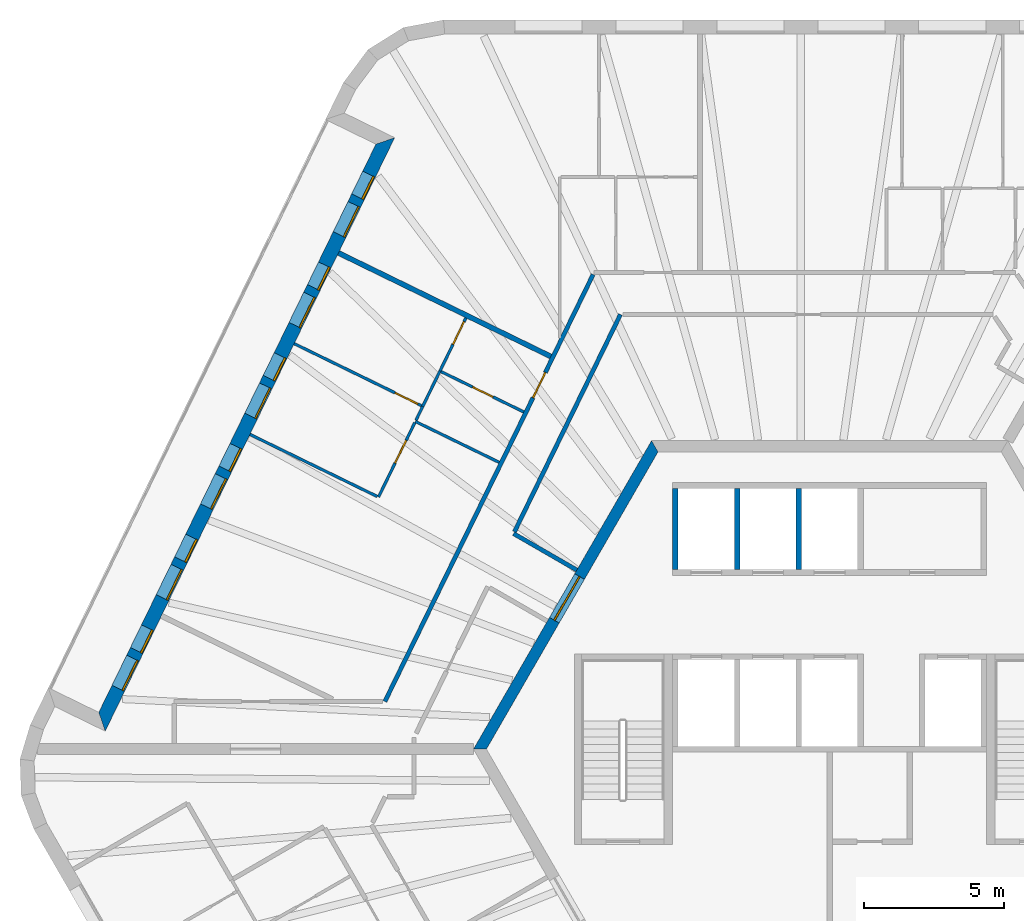
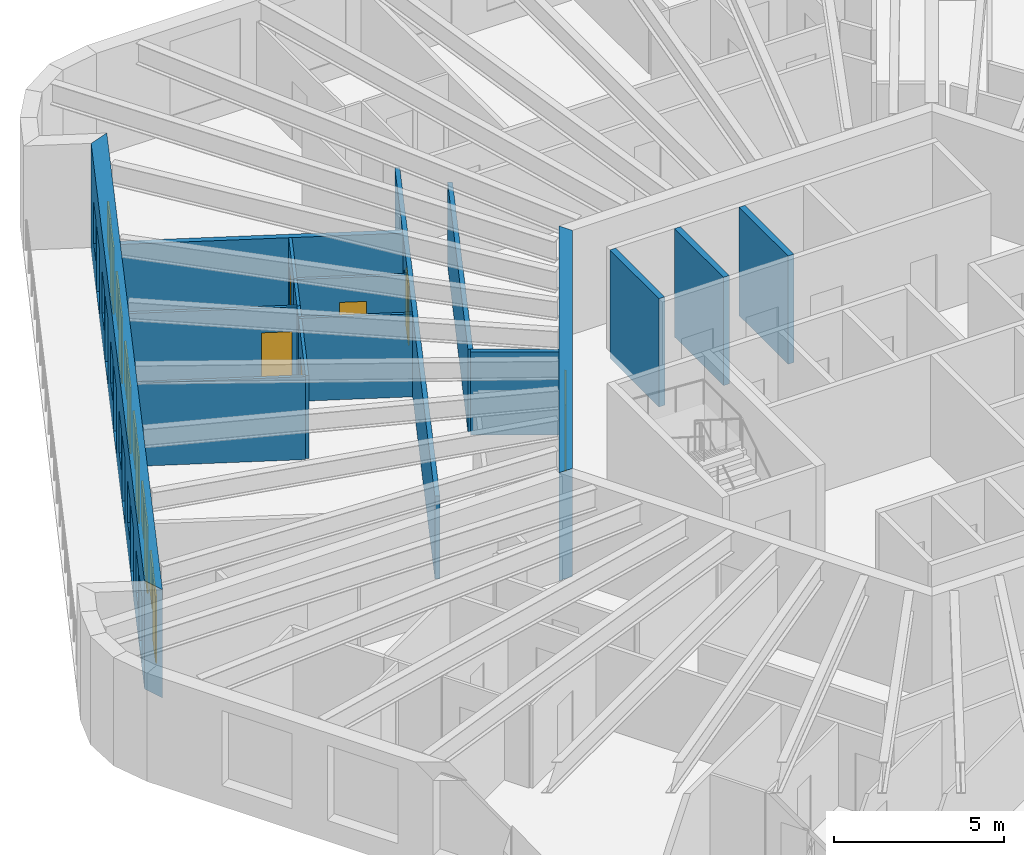
# One storey, part 8 of 12: 17 walls, 12 doors, 6 windows, 18 openings.
"""IFC4 building model written with IfcOpenShell, lengths in metres."""

import ifcopenshell
import ifcopenshell.guid

model = None  # the IFC model being written
_history = None  # IfcOwnerHistory: only IFC2X3 demands one
_inside = {}  # id of a spatial element -> (the spatial element, [elements in it])
_under = {}  # id of a project, library or spatial element -> (it, [spatial elements below it])
_declared = {}  # id of a project -> (the project, [libraries it declares])
_typed = {}  # id of a type object -> (the type object, [elements of that type])
_made_of = {}  # id of a material, layer set ... -> (it, [elements and type objects made of it])


def new_model(schema):
    """Start an empty IFC model of exactly this schema.

    Asked for "IFC4X3", IfcOpenShell would pick the latest addendum, in which some entities
    have other attributes; the version numbers below select the first issue.
    IFC2X3 requires an IfcOwnerHistory on every rooted entity: one is made here for all.
    """
    global model, _history
    if schema == "IFC4X3":
        model = ifcopenshell.file(schema_version=(4, 3, 0, 0))
    else:
        model = ifcopenshell.file(schema=schema)
    _inside.clear()
    _under.clear()
    _declared.clear()
    _typed.clear()
    _made_of.clear()
    _history = None
    if model.schema == "IFC2X3":
        org = make("IfcOrganization", Name="unknown")
        user = make(
            "IfcPersonAndOrganization",
            ThePerson=make("IfcPerson", FamilyName="unknown"),
            TheOrganization=org,
        )
        app = make(
            "IfcApplication",
            ApplicationDeveloper=org,
            Version="unknown",
            ApplicationFullName="unknown",
            ApplicationIdentifier="unknown",
        )
        _history = make(
            "IfcOwnerHistory",
            OwningUser=user,
            OwningApplication=app,
            ChangeAction="ADDED",
            CreationDate=0,
        )
    return model


def make(cls, **values):
    """One entity of the class cls with the attributes given. An attribute that is None is left unset."""
    return model.create_entity(
        cls, **{name: value for name, value in values.items() if value is not None}
    )


def rooted(cls, **values):
    """An entity with a GlobalId (a new one), such as an element, a storey or a relation."""
    return make(cls, GlobalId=ifcopenshell.guid.new(), OwnerHistory=_history, **values)


def si_unit(unit_type, name, prefix=None):
    """IfcSIUnit, for example si_unit("LENGTHUNIT", "METRE", prefix="MILLI")."""
    return make("IfcSIUnit", UnitType=unit_type, Prefix=prefix, Name=name)


def assignment(units):
    """IfcUnitAssignment: the units of a project."""
    return None if units is None else make("IfcUnitAssignment", Units=units)


def point(xyz):
    """IfcCartesianPoint."""
    return None if xyz is None else make("IfcCartesianPoint", Coordinates=xyz)


def direction(xyz):
    """IfcDirection."""
    return None if xyz is None else make("IfcDirection", DirectionRatios=xyz)


def frame(location, z_axis=None, x_axis=None):
    """IfcAxis2Placement3D, a coordinate frame: its origin and axes. An axis left out is left unset."""
    return make(
        "IfcAxis2Placement3D",
        Location=point(location),
        Axis=direction(z_axis),
        RefDirection=direction(x_axis),
    )


def frame_2d(location, x_axis=None):
    """IfcAxis2Placement2D, a coordinate frame in the plane: its origin and x axis."""
    return make(
        "IfcAxis2Placement2D", Location=point(location), RefDirection=direction(x_axis)
    )


def origin():
    """The frame at (0, 0, 0) with its axes left unset."""
    return frame((0.0, 0.0, 0.0))


def place(relative_to, where):
    """IfcLocalPlacement: puts the frame where relative to a parent placement (None: the world)."""
    return make(
        "IfcLocalPlacement", PlacementRelTo=relative_to, RelativePlacement=where
    )


def context(
    kind, dimensions, precision=None, world=None, true_north=None, identifier=None
):
    """IfcGeometricRepresentationContext, for example the 3D "Model" context."""
    return make(
        "IfcGeometricRepresentationContext",
        ContextIdentifier=identifier,
        ContextType=kind,
        CoordinateSpaceDimension=dimensions,
        Precision=precision,
        WorldCoordinateSystem=world,
        TrueNorth=true_north,
    )


def subcontext(parent, identifier, kind, view, scale=None):
    """IfcGeometricRepresentationSubContext, for example "Body" below "Model"."""
    return make(
        "IfcGeometricRepresentationSubContext",
        ContextIdentifier=identifier,
        ContextType=kind,
        ParentContext=parent,
        TargetScale=scale,
        TargetView=view,
    )


def project(units=None, contexts=None):
    """IfcProject with its units and contexts."""
    return rooted(
        "IfcProject",
        Name="project",
        RepresentationContexts=contexts,
        UnitsInContext=assignment(units),
    )


def spatial(cls, under=None, at=None, **own):
    """A site, building, storey or space (cls), placed at a placement, below another one or the project."""
    s = rooted(cls, ObjectPlacement=at, **own)
    if under is not None:
        _under.setdefault(under.id(), (under, []))[1].append(s)
    return s


def polyline(points):
    """IfcPolyline through the points."""
    return make("IfcPolyline", Points=[point(p) for p in points])


def profile(cls, at=None, kind="AREA", **sizes):
    """A parametric profile (cls). Its sizes go by their IFC names, for example OverallWidth=200.0."""
    return make(cls, ProfileType=kind, Position=at, **sizes)


def rectangle(**sizes):
    """IfcRectangleProfileDef."""
    return profile("IfcRectangleProfileDef", **sizes)


def outline(outer, holes=None, kind="AREA"):
    """IfcArbitraryClosedProfileDef: a profile drawn as a closed curve; with holes, ...WithVoids."""
    if holes is None:
        return make("IfcArbitraryClosedProfileDef", ProfileType=kind, OuterCurve=outer)
    return make(
        "IfcArbitraryProfileDefWithVoids",
        ProfileType=kind,
        OuterCurve=outer,
        InnerCurves=holes,
    )


def extrude(swept, where, along, depth):
    """IfcExtrudedAreaSolid: the profile swept, set in the frame where, extruded along a direction by depth."""
    return make(
        "IfcExtrudedAreaSolid",
        SweptArea=swept,
        Position=where,
        ExtrudedDirection=direction(along),
        Depth=depth,
    )


def shape(context_of_items, identifier, shape_type, items):
    """IfcShapeRepresentation: the items that make up one representation, for example the "Body"."""
    return make(
        "IfcShapeRepresentation",
        ContextOfItems=context_of_items,
        RepresentationIdentifier=identifier,
        RepresentationType=shape_type,
        Items=items,
    )


def material(Name=None, Category=None):
    """IfcMaterial."""
    return make("IfcMaterial", Name=Name, Category=Category)


def layer(
    of_material, thickness, ventilated=None, Name=None, Category=None, Priority=None
):
    """IfcMaterialLayer: one layer of a wall or slab, of a material (None: an air gap)."""
    return make(
        "IfcMaterialLayer",
        Material=of_material,
        LayerThickness=thickness,
        IsVentilated=ventilated,
        Name=Name,
        Category=Category,
        Priority=Priority,
    )


def layer_set(layers, Name=None):
    """IfcMaterialLayerSet."""
    return make("IfcMaterialLayerSet", MaterialLayers=layers, LayerSetName=Name)


def made_of(thing, what):
    """Note that an element or type object is made of a material, layer set ...; save() writes the relation."""
    if what is not None:
        _made_of.setdefault(what.id(), (what, []))[1].append(thing)
    return thing


def type_object(cls, material=None, **own):
    """A type object (cls), such as IfcWallType, which elements share."""
    return made_of(rooted(cls, **own), material)


def element(
    cls,
    number,
    at=None,
    inside=None,
    cuts=None,
    type_object=None,
    material=None,
    context=None,
    identifier="Body",
    shape_type=None,
    held_by="IfcProductDefinitionShape",
    body=None,
    shapes=None,
    **own,
):
    """One element of the class cls, such as IfcWall. Its Tag is "e" and its number.

    at: its placement. inside: the storey or other place that contains it. cuts: it is an
    opening in that element (IfcRelVoidsElement). A single representation is given by context,
    identifier, shape_type and body (its items); several are given by shapes. held_by: the class
    of the entity that holds the representations. save() writes the other relations.
    """
    e = rooted(cls, Tag="e%d" % number, ObjectPlacement=at, **own)
    if body is not None:
        shapes = [shape(context, identifier, shape_type, body)]
    if shapes is not None:
        e.Representation = make(held_by, Representations=shapes)
    if inside is not None:
        _inside.setdefault(inside.id(), (inside, []))[1].append(e)
    if cuts is not None:
        rooted(
            "IfcRelVoidsElement", RelatingBuildingElement=cuts, RelatedOpeningElement=e
        )
    if type_object is not None:
        _typed.setdefault(type_object.id(), (type_object, []))[1].append(e)
    return made_of(e, material)


def fill(opening, filler):
    """IfcRelFillsElement: the door or window that sits in an opening."""
    return rooted(
        "IfcRelFillsElement",
        RelatingOpeningElement=opening,
        RelatedBuildingElement=filler,
    )


def aggregate(whole, parts):
    """IfcRelAggregates: a whole, such as a stair, and the parts it consists of."""
    return rooted("IfcRelAggregates", RelatingObject=whole, RelatedObjects=parts)


def save(model, path):
    """Write the relations noted so far, then the file.

    IfcRelAggregates (storeys below a building ...), IfcRelContainedInSpatialStructure (elements
    in a storey), IfcRelDefinesByType, IfcRelAssociatesMaterial and IfcRelDeclares: one each for
    every whole, place, type object, material and project.
    """
    for whole, parts in _under.values():
        aggregate(whole, parts)
    for where, things in _inside.values():
        rooted(
            "IfcRelContainedInSpatialStructure",
            RelatedElements=things,
            RelatingStructure=where,
        )
    for kind, things in _typed.values():
        rooted("IfcRelDefinesByType", RelatedObjects=things, RelatingType=kind)
    for what, things in _made_of.values():
        rooted("IfcRelAssociatesMaterial", RelatedObjects=things, RelatingMaterial=what)
    for by, libraries in _declared.values():
        rooted("IfcRelDeclares", RelatingContext=by, RelatedDefinitions=libraries)
    model.write(path)


model = new_model("IFC4")

# Units and contexts
model_context = context("Model", 3, precision=1e-05, world=origin(), true_north=direction((0.0, 1.0)))
body_context = subcontext(model_context, "Body", "Model", "MODEL_VIEW")
ifc_project = project(units=[si_unit("LENGTHUNIT", "METRE"), si_unit("AREAUNIT", "SQUARE_METRE"), si_unit("VOLUMEUNIT", "CUBIC_METRE"), si_unit("PLANEANGLEUNIT", "RADIAN"), si_unit("MASSUNIT", "GRAM", prefix="KILO")], contexts=[model_context])

# Site, building, storey
site_placement = place(None, origin())
site = spatial("IfcSite", under=ifc_project, at=site_placement, CompositionType="ELEMENT")
building_placement = place(site_placement, origin())
building = spatial("IfcBuilding", under=site, at=building_placement, Name="Tarnside Tower", CompositionType="ELEMENT")
storey_placement = place(building_placement, frame((0.0, 0.0, 275.699951171875)))
storey = spatial("IfcBuildingStorey", under=building, at=storey_placement, Name="L66", CompositionType="ELEMENT", Elevation=275.699951171875)

# Wall
ifc_material_1 = material(Name="Gypsum board partition on steel studs", Category="steel")
ifc_layer_1 = layer(ifc_material_1, 0.10009765625)
ifc_layer_set_1 = layer_set([ifc_layer_1], Name="Bathroom wall 100")
wall_type_1 = type_object("IfcWallType", Name="Bathroom wall 100", PredefinedType="PARTITIONING", material=ifc_layer_set_1)
wall_1_placement = place(storey_placement, frame((-11.784912109375, 10.225830078125, 0.0), z_axis=(0.0, 0.0, 1.0), x_axis=(-0.898803726577, 0.438351298723, 0.0)))
element("IfcWall", 1, at=wall_1_placement, inside=storey, type_object=wall_type_1, Name="Bathroom wall 21106", PredefinedType="PARTITIONING", context=body_context, shape_type="SweptSolid", body=[
    extrude(rectangle(XDim=3.324951171875, YDim=0.10009765625, at=frame_2d((1.66259765625, 0.0))), origin(), (0.0, 0.0, 1.0), 2.98779296875),
])

# Wall, opening, door
wall_2_placement = place(storey_placement, frame((-13.896728515625, 13.48095703125, 0.0), z_axis=(0.0, 0.0, 1.0), x_axis=(0.898803726577, -0.438351298723, 0.0)))
wall_2 = element("IfcWall", 2, at=wall_2_placement, inside=storey, type_object=wall_type_1, Name="Bathroom wall 21110", PredefinedType="PARTITIONING", context=body_context, shape_type="SweptSolid", body=[
    extrude(rectangle(XDim=3.324951171875, YDim=0.10009765625, at=frame_2d((1.66259765625, 0.0))), origin(), (0.0, 0.0, 1.0), 2.98779296875),
])
opening_1_placement = place(wall_2_placement, frame((1.300048828125, 0.0, 0.0)))
opening_1 = element("IfcOpeningElement", 3, at=opening_1_placement, cuts=wall_2, Name="Opening D-B1", PredefinedType="OPENING", context=body_context, shape_type="SweptSolid", body=[
    extrude(rectangle(XDim=0.800048828125, YDim=2.10009765625, at=frame_2d((0.39990234375, 1.050048828125))), frame((0.0, 0.06005859375, 0.0), z_axis=(0.0, -1.0, 0.0), x_axis=(1.0, 0.0, 0.0)), (0.0, 0.0, 1.0), 0.1201171875),
])
ifc_material_2 = material(Name="Timber door leaf", Category="wood")
door_type_1 = type_object("IfcDoorType", Name="Bathroom door 800", OperationType="NOTDEFINED", PredefinedType="DOOR", material=ifc_material_2)
door_1_placement = place(opening_1_placement, origin())
door_1 = element("IfcDoor", 4, at=door_1_placement, inside=storey, type_object=door_type_1, Name="Bathroom door 21018", OperationType="SINGLE_SWING_LEFT", OverallHeight=2.10009765625, OverallWidth=0.800048828125, PredefinedType="DOOR", context=body_context, shape_type="SweptSolid", body=[
    extrude(rectangle(XDim=0.800048828125, YDim=2.10009765625, at=frame_2d((0.39990234375, 1.050048828125))), frame((0.0, 0.02490234375, 0.0), z_axis=(0.0, -1.0, 0.0), x_axis=(1.0, 0.0, 0.0)), (0.0, 0.0, 1.0), 0.050048828125),
])
fill(opening_1, door_1)

# Walls
wall_3_placement = place(storey_placement, frame((-13.895751953125, 13.48291015625, 0.0), z_axis=(0.0, 0.0, 1.0), x_axis=(-0.438416771233, -0.898771792337, 0.0)))
element("IfcWall", 5, at=wall_3_placement, inside=storey, type_object=wall_type_1, Name="Bathroom wall 21112", PredefinedType="PARTITIONING", context=body_context, shape_type="SweptSolid", body=[
    extrude(rectangle(XDim=1.402099609375, YDim=0.10009765625, at=frame_2d((0.701171875, 0.0))), origin(), (0.0, 0.0, 1.0), 2.98779296875),
])
wall_4_placement = place(storey_placement, frame((-14.510498046875, 12.22265625, 0.0), z_axis=(0.0, 0.0, 1.0), x_axis=(-0.438345197703, -0.898806702051, 0.0)))
element("IfcWall", 6, at=wall_4_placement, inside=storey, type_object=wall_type_1, Name="Bathroom wall 21113", PredefinedType="PARTITIONING", context=body_context, shape_type="SweptSolid", body=[
    extrude(rectangle(XDim=0.552001953125, YDim=0.10009765625, at=frame_2d((0.27587890625, 0.0))), origin(), (0.0, 0.0, 1.0), 2.98779296875),
])

# Wall, opening, door
ifc_material_3 = material(Name="Concrete C60/75", Category="concrete")
ifc_layer_2 = layer(ifc_material_3, 0.39990234375)
ifc_layer_set_2 = layer_set([ifc_layer_2], Name="Core wall Z3 400 C60/75")
wall_type_2 = type_object("IfcWallType", Name="Core wall Z3 400 C60/75", PredefinedType="SHEAR", material=ifc_layer_set_2)
wall_5_placement = place(storey_placement, frame((-6.2353515625, 10.800048828125, -0.14990234375), z_axis=(0.0, 0.0, 1.0), x_axis=(-0.499996419489, -0.866027470984, 0.0)))
wall_5 = element("IfcWall", 7, at=wall_5_placement, inside=storey, type_object=wall_type_2, Name="L66 core wall face 2", PredefinedType="SHEAR", context=body_context, shape_type="SweptSolid", body=[
    extrude(outline(polyline([(-0.115478515625, -0.199951171875), (12.586181640625, -0.199951171875), (12.355224609375, 0.199951171875), (0.115478515625, 0.199951171875), (-0.115478515625, -0.199951171875)])), origin(), (0.0, 0.0, 1.0), 3.89990234375),
])
opening_2_placement = place(wall_5_placement, frame((5.3642578125, 0.0, 0.14990234375)))
opening_2 = element("IfcOpeningElement", 8, at=opening_2_placement, cuts=wall_5, Name="Opening CD-LOB", PredefinedType="OPENING", context=body_context, shape_type="SweptSolid", body=[
    extrude(rectangle(XDim=1.800048828125, YDim=2.39990234375, at=frame_2d((0.89990234375, 1.199951171875))), frame((0.0, 0.2099609375, 0.0), z_axis=(0.0, -1.0, 0.0), x_axis=(1.0, 0.0, 0.0)), (0.0, 0.0, 1.0), 0.419921875),
])
ifc_material_4 = material(Name="Steel fire door", Category="steel")
door_type_2 = type_object("IfcDoorType", Name="Lobby double door FD30S 1800x2400", OperationType="NOTDEFINED", PredefinedType="DOOR", material=ifc_material_4)
door_2_placement = place(opening_2_placement, origin())
door_2 = element("IfcDoor", 9, at=door_2_placement, inside=storey, type_object=door_type_2, Name="L66 core door P1", OperationType="DOUBLE_DOOR_SINGLE_SWING", OverallHeight=2.39990234375, OverallWidth=1.800048828125, PredefinedType="DOOR", context=body_context, shape_type="SweptSolid", body=[
    extrude(rectangle(XDim=1.800048828125, YDim=2.39990234375, at=frame_2d((0.89990234375, 1.199951171875))), frame((0.0, 0.02490234375, 0.0), z_axis=(0.0, -1.0, 0.0), x_axis=(1.0, 0.0, 0.0)), (0.0, 0.0, 1.0), 0.050048828125),
])
fill(opening_2, door_2)

ifc_layer_3 = layer(ifc_material_1, 0.14990234375)
ifc_layer_set_3 = layer_set([ifc_layer_3], Name="Corridor wall 150 EI 60")
wall_type_3 = type_object("IfcWallType", Name="Corridor wall 150 EI 60", PredefinedType="PARTITIONING", material=ifc_layer_set_3)
wall_6_placement = place(storey_placement, frame((-8.43408203125, 16.925048828125, 0.0), z_axis=(0.0, 0.0, 1.0), x_axis=(-0.438371383278, -0.898793930956, 0.0)))
wall_6 = element("IfcWall", 10, at=wall_6_placement, inside=storey, type_object=wall_type_3, Name="Corridor wall 21010", PredefinedType="PARTITIONING", context=body_context, shape_type="SweptSolid", body=[
    extrude(rectangle(XDim=16.939453125, YDim=0.14990234375, at=frame_2d((8.4697265625, 0.0))), origin(), (0.0, 0.0, 1.0), 2.98779296875),
])
opening_3_placement = place(wall_6_placement, frame((3.89013671875, 0.0, 0.0)))
opening_3 = element("IfcOpeningElement", 11, at=opening_3_placement, cuts=wall_6, Name="Opening D-E1", PredefinedType="OPENING", context=body_context, shape_type="SweptSolid", body=[
    extrude(rectangle(XDim=1.0, YDim=2.10009765625, at=frame_2d((0.5, 1.050048828125))), frame((0.0, 0.0849609375, 0.0), z_axis=(0.0, -1.0, 0.0), x_axis=(1.0, 0.0, 0.0)), (0.0, 0.0, 1.0), 0.169921875),
])
door_type_3 = type_object("IfcDoorType", Name="Unit entrance door 1000 FD30S", OperationType="NOTDEFINED", PredefinedType="DOOR", material=ifc_material_2)
door_3_placement = place(opening_3_placement, origin())
door_3 = element("IfcDoor", 12, at=door_3_placement, inside=storey, type_object=door_type_3, Name="Unit door 21017", OperationType="SINGLE_SWING_RIGHT", OverallHeight=2.10009765625, OverallWidth=1.0, PredefinedType="DOOR", context=body_context, shape_type="SweptSolid", body=[
    extrude(rectangle(XDim=1.0, YDim=2.10009765625, at=frame_2d((0.5, 1.050048828125))), frame((0.0, 0.02490234375, 0.0), z_axis=(0.0, -1.0, 0.0), x_axis=(1.0, 0.0, 0.0)), (0.0, 0.0, 1.0), 0.050048828125),
])
fill(opening_3, door_3)

# Walls
wall_7_placement = place(storey_placement, frame((-9.015625, 6.38427734375, 0.0), z_axis=(0.0, 0.0, 1.0), x_axis=(-0.866031051173, 0.499990218309, 0.0)))
element("IfcWall", 13, at=wall_7_placement, inside=storey, type_object=wall_type_3, Name="Corridor wall 21020", PredefinedType="PARTITIONING", context=body_context, shape_type="SweptSolid", body=[
    extrude(rectangle(XDim=2.6044921875, YDim=0.14990234375, at=frame_2d((1.30224609375, 0.0))), origin(), (0.0, 0.0, 1.0), 2.98779296875),
])
wall_8_placement = place(storey_placement, frame((-11.23828125, 7.754150390625, 0.0), z_axis=(0.0, 0.0, 1.0), x_axis=(0.438387352899, 0.89878614187, 0.0)))
element("IfcWall", 14, at=wall_8_placement, inside=storey, type_object=wall_type_3, Name="Corridor wall 21021", PredefinedType="PARTITIONING", context=body_context, shape_type="SweptSolid", body=[
    extrude(rectangle(XDim=8.6181640625, YDim=0.14990234375, at=frame_2d((4.30908203125, 0.0))), origin(), (0.0, 0.0, 1.0), 2.98779296875),
])
ifc_layer_4 = layer(ifc_material_1, 0.179931640625)
ifc_layer_set_4 = layer_set([ifc_layer_4], Name="Demising wall 180 EI 60")
wall_type_4 = type_object("IfcWallType", Name="Demising wall 180 EI 60", PredefinedType="PARTITIONING", material=ifc_layer_set_4)
wall_9_placement = place(storey_placement, frame((-17.51611328125, 17.694091796875, 0.0), z_axis=(0.0, 0.0, 1.0), x_axis=(0.898788496909, -0.438382524543, 0.0)))
element("IfcWall", 15, at=wall_9_placement, inside=storey, type_object=wall_type_4, Name="Demising wall 21101", PredefinedType="PARTITIONING", context=body_context, shape_type="SweptSolid", body=[
    extrude(rectangle(XDim=8.425048828125, YDim=0.179931640625, at=frame_2d((4.21240234375, 0.0))), origin(), (0.0, 0.0, 1.0), 2.98779296875),
])
ifc_material_5 = material(Name="Concrete C40/50", Category="concrete")
ifc_layer_5 = layer(ifc_material_5, 0.199951171875)
ifc_layer_set_5 = layer_set([ifc_layer_5], Name="Lift shaft wall 200 C40/50")
wall_type_5 = type_object("IfcWallType", Name="Lift shaft wall 200 C40/50", PredefinedType="SHEAR", material=ifc_layer_set_5)
for number, where, z_axis, x_axis, name in (
    (16, (-5.5, 6.39990234375, -0.25), (0.0, 0.0, 1.0), (0.0, 1.0, 0.0), "L66 lift shaft partition R11"),
    (17, (-3.300048828125, 6.39990234375, -0.25), (0.0, 0.0, 1.0), (0.0, 1.0, 0.0), "L66 lift shaft partition R12"),
    (18, (-1.10009765625, 6.39990234375, -0.25), (0.0, 0.0, 1.0), (0.0, 1.0, 0.0), "L66 lift shaft partition R13"),
):
    element("IfcWall", number, at=place(storey_placement, frame(where, z_axis=z_axis, x_axis=x_axis)), inside=storey, type_object=wall_type_5, Name=name, PredefinedType="SHEAR", context=body_context, shape_type="SweptSolid", body=[
        extrude(rectangle(XDim=2.900146484375, YDim=0.199951171875, at=frame_2d((1.4501953125, 0.0))), origin(), (0.0, 0.0, 1.0), 3.900146484375),
    ])

# Wall, openings, doors, windows
ifc_material_6 = material(Name="Dark zinc cladding")
ifc_layer_6 = layer(ifc_material_6, 0.10205078125)
ifc_material_7 = material(Name="Concrete C60/75 precast", Category="concrete")
ifc_layer_7 = layer(ifc_material_7, 0.298095703125)
ifc_material_8 = material(Name="Mineral wool insulation")
ifc_layer_8 = layer(ifc_material_8, 0.10009765625)
ifc_layer_set_6 = layer_set([ifc_layer_6, ifc_layer_7, ifc_layer_8], Name="Loggia wall 500 zinc faced")
wall_type_6 = type_object("IfcWallType", Name="Loggia wall 500 zinc faced", PredefinedType="SOLIDWALL", material=ifc_layer_set_6)
wall_10_placement = place(storey_placement, frame((-15.845947265625, 21.6884765625, -0.14990234375), z_axis=(0.0, 0.0, 1.0), x_axis=(-0.438377502627, -0.898790946322, 0.0)))
wall_10 = element("IfcWall", 19, at=wall_10_placement, inside=storey, type_object=wall_type_6, Name="Tube wall L66 F2 back 06", PredefinedType="SOLIDWALL", context=body_context, shape_type="SweptSolid", body=[
    extrude(outline(polyline([(0.25, -0.25), (22.794677734375, -0.25), (23.294677734375, 0.25), (-0.25, 0.25), (0.25, -0.25)])), origin(), (0.0, 0.0, 1.0), 3.89990234375),
])
opening_4_placement = place(wall_10_placement, frame((1.322509765625, 0.0, 1.050048828125)))
opening_4 = element("IfcOpeningElement", 20, at=opening_4_placement, cuts=wall_10, Name="Opening WL500", PredefinedType="OPENING", context=body_context, shape_type="SweptSolid", body=[
    extrude(rectangle(XDim=0.89990234375, YDim=1.5, at=frame_2d((0.449951171875, 0.75))), frame((0.0, 0.260009765625, 0.0), z_axis=(0.0, -1.0, 0.0), x_axis=(1.0, 0.0, 0.0)), (0.0, 0.0, 1.0), 0.52001953125),
])
opening_5_placement = place(wall_10_placement, frame((2.5224609375, 0.0, 0.14990234375)))
opening_5 = element("IfcOpeningElement", 21, at=opening_5_placement, cuts=wall_10, Name="Opening DB500", PredefinedType="OPENING", context=body_context, shape_type="SweptSolid", body=[
    extrude(rectangle(XDim=1.199951171875, YDim=2.39990234375, at=frame_2d((0.60009765625, 1.199951171875))), frame((0.0, 0.260009765625, 0.0), z_axis=(0.0, -1.0, 0.0), x_axis=(1.0, 0.0, 0.0)), (0.0, 0.0, 1.0), 0.52001953125),
])
opening_6_placement = place(wall_10_placement, frame((4.92236328125, 0.0, 1.050048828125)))
opening_6 = element("IfcOpeningElement", 22, at=opening_6_placement, cuts=wall_10, Name="Opening WL500", PredefinedType="OPENING", context=body_context, shape_type="SweptSolid", body=[
    extrude(rectangle(XDim=0.89990234375, YDim=1.5, at=frame_2d((0.449951171875, 0.75))), frame((0.0, 0.260009765625, 0.0), z_axis=(0.0, -1.0, 0.0), x_axis=(1.0, 0.0, 0.0)), (0.0, 0.0, 1.0), 0.52001953125),
])
opening_7_placement = place(wall_10_placement, frame((6.122314453125, 0.0, 0.14990234375)))
opening_7 = element("IfcOpeningElement", 23, at=opening_7_placement, cuts=wall_10, Name="Opening DB500", PredefinedType="OPENING", context=body_context, shape_type="SweptSolid", body=[
    extrude(rectangle(XDim=1.199951171875, YDim=2.39990234375, at=frame_2d((0.60009765625, 1.199951171875))), frame((0.0, 0.260009765625, 0.0), z_axis=(0.0, -1.0, 0.0), x_axis=(1.0, 0.0, 0.0)), (0.0, 0.0, 1.0), 0.52001953125),
])
opening_8_placement = place(wall_10_placement, frame((8.5224609375, 0.0, 1.050048828125)))
opening_8 = element("IfcOpeningElement", 24, at=opening_8_placement, cuts=wall_10, Name="Opening WL500", PredefinedType="OPENING", context=body_context, shape_type="SweptSolid", body=[
    extrude(rectangle(XDim=0.89990234375, YDim=1.5, at=frame_2d((0.449951171875, 0.75))), frame((0.0, 0.260009765625, 0.0), z_axis=(0.0, -1.0, 0.0), x_axis=(1.0, 0.0, 0.0)), (0.0, 0.0, 1.0), 0.52001953125),
])
opening_9_placement = place(wall_10_placement, frame((9.722412109375, 0.0, 0.14990234375)))
opening_9 = element("IfcOpeningElement", 25, at=opening_9_placement, cuts=wall_10, Name="Opening DB500", PredefinedType="OPENING", context=body_context, shape_type="SweptSolid", body=[
    extrude(rectangle(XDim=1.199951171875, YDim=2.39990234375, at=frame_2d((0.60009765625, 1.199951171875))), frame((0.0, 0.260009765625, 0.0), z_axis=(0.0, -1.0, 0.0), x_axis=(1.0, 0.0, 0.0)), (0.0, 0.0, 1.0), 0.52001953125),
])
opening_10_placement = place(wall_10_placement, frame((12.122314453125, 0.0, 1.050048828125)))
opening_10 = element("IfcOpeningElement", 26, at=opening_10_placement, cuts=wall_10, Name="Opening WL500", PredefinedType="OPENING", context=body_context, shape_type="SweptSolid", body=[
    extrude(rectangle(XDim=0.89990234375, YDim=1.5, at=frame_2d((0.449951171875, 0.75))), frame((0.0, 0.260009765625, 0.0), z_axis=(0.0, -1.0, 0.0), x_axis=(1.0, 0.0, 0.0)), (0.0, 0.0, 1.0), 0.52001953125),
])
opening_11_placement = place(wall_10_placement, frame((13.322509765625, 0.0, 0.14990234375)))
opening_11 = element("IfcOpeningElement", 27, at=opening_11_placement, cuts=wall_10, Name="Opening DB500", PredefinedType="OPENING", context=body_context, shape_type="SweptSolid", body=[
    extrude(rectangle(XDim=1.199951171875, YDim=2.39990234375, at=frame_2d((0.60009765625, 1.199951171875))), frame((0.0, 0.260009765625, 0.0), z_axis=(0.0, -1.0, 0.0), x_axis=(1.0, 0.0, 0.0)), (0.0, 0.0, 1.0), 0.52001953125),
])
opening_12_placement = place(wall_10_placement, frame((15.722412109375, 0.0, 1.050048828125)))
opening_12 = element("IfcOpeningElement", 28, at=opening_12_placement, cuts=wall_10, Name="Opening WL500", PredefinedType="OPENING", context=body_context, shape_type="SweptSolid", body=[
    extrude(rectangle(XDim=0.89990234375, YDim=1.5, at=frame_2d((0.449951171875, 0.75))), frame((0.0, 0.260009765625, 0.0), z_axis=(0.0, -1.0, 0.0), x_axis=(1.0, 0.0, 0.0)), (0.0, 0.0, 1.0), 0.52001953125),
])
opening_13_placement = place(wall_10_placement, frame((16.92236328125, 0.0, 0.14990234375)))
opening_13 = element("IfcOpeningElement", 29, at=opening_13_placement, cuts=wall_10, Name="Opening DB500", PredefinedType="OPENING", context=body_context, shape_type="SweptSolid", body=[
    extrude(rectangle(XDim=1.199951171875, YDim=2.39990234375, at=frame_2d((0.60009765625, 1.199951171875))), frame((0.0, 0.260009765625, 0.0), z_axis=(0.0, -1.0, 0.0), x_axis=(1.0, 0.0, 0.0)), (0.0, 0.0, 1.0), 0.52001953125),
])
opening_14_placement = place(wall_10_placement, frame((19.322509765625, 0.0, 1.050048828125)))
opening_14 = element("IfcOpeningElement", 30, at=opening_14_placement, cuts=wall_10, Name="Opening WL500", PredefinedType="OPENING", context=body_context, shape_type="SweptSolid", body=[
    extrude(rectangle(XDim=0.89990234375, YDim=1.5, at=frame_2d((0.449951171875, 0.75))), frame((0.0, 0.260009765625, 0.0), z_axis=(0.0, -1.0, 0.0), x_axis=(1.0, 0.0, 0.0)), (0.0, 0.0, 1.0), 0.52001953125),
])
opening_15_placement = place(wall_10_placement, frame((20.5224609375, 0.0, 0.14990234375)))
opening_15 = element("IfcOpeningElement", 31, at=opening_15_placement, cuts=wall_10, Name="Opening DB500", PredefinedType="OPENING", context=body_context, shape_type="SweptSolid", body=[
    extrude(rectangle(XDim=1.199951171875, YDim=2.39990234375, at=frame_2d((0.60009765625, 1.199951171875))), frame((0.0, 0.260009765625, 0.0), z_axis=(0.0, -1.0, 0.0), x_axis=(1.0, 0.0, 0.0)), (0.0, 0.0, 1.0), 0.52001953125),
])
ifc_material_9 = material(Name="Aluminium-framed double glazing", Category="aluminium")
door_type_4 = type_object("IfcDoorType", Name="Balcony sliding door 1200 x 2400 in 500 wall", OperationType="SLIDING_TO_LEFT", PredefinedType="DOOR", material=ifc_material_9)
door_4_placement = place(opening_5_placement, frame((0.0, 0.1748046875, 0.0)))
door_4 = element("IfcDoor", 32, at=door_4_placement, inside=storey, type_object=door_type_4, Name="E.BD.L66.F2.00", OperationType="SLIDING_TO_LEFT", OverallHeight=2.39990234375, OverallWidth=1.199951171875, PredefinedType="DOOR", context=body_context, shape_type="SweptSolid", body=[
    extrude(rectangle(XDim=1.199951171875, YDim=2.39990234375, at=frame_2d((0.60009765625, 1.199951171875))), frame((0.0, 0.02490234375, 0.0), z_axis=(0.0, -1.0, 0.0), x_axis=(1.0, 0.0, 0.0)), (0.0, 0.0, 1.0), 0.050048828125),
])
fill(opening_5, door_4)
door_5_placement = place(opening_7_placement, frame((0.0, 0.1748046875, 0.0)))
door_5 = element("IfcDoor", 33, at=door_5_placement, inside=storey, type_object=door_type_4, Name="E.BD.L66.F2.01", OperationType="SLIDING_TO_LEFT", OverallHeight=2.39990234375, OverallWidth=1.199951171875, PredefinedType="DOOR", context=body_context, shape_type="SweptSolid", body=[
    extrude(rectangle(XDim=1.199951171875, YDim=2.39990234375, at=frame_2d((0.60009765625, 1.199951171875))), frame((0.0, 0.02490234375, 0.0), z_axis=(0.0, -1.0, 0.0), x_axis=(1.0, 0.0, 0.0)), (0.0, 0.0, 1.0), 0.050048828125),
])
fill(opening_7, door_5)
door_6_placement = place(opening_9_placement, frame((0.0, 0.1748046875, 0.0)))
door_6 = element("IfcDoor", 34, at=door_6_placement, inside=storey, type_object=door_type_4, Name="E.BD.L66.F2.02", OperationType="SLIDING_TO_LEFT", OverallHeight=2.39990234375, OverallWidth=1.199951171875, PredefinedType="DOOR", context=body_context, shape_type="SweptSolid", body=[
    extrude(rectangle(XDim=1.199951171875, YDim=2.39990234375, at=frame_2d((0.60009765625, 1.199951171875))), frame((0.0, 0.02490234375, 0.0), z_axis=(0.0, -1.0, 0.0), x_axis=(1.0, 0.0, 0.0)), (0.0, 0.0, 1.0), 0.050048828125),
])
fill(opening_9, door_6)
door_7_placement = place(opening_11_placement, frame((0.0, 0.1748046875, 0.0)))
door_7 = element("IfcDoor", 35, at=door_7_placement, inside=storey, type_object=door_type_4, Name="E.BD.L66.F2.03", OperationType="SLIDING_TO_LEFT", OverallHeight=2.39990234375, OverallWidth=1.199951171875, PredefinedType="DOOR", context=body_context, shape_type="SweptSolid", body=[
    extrude(rectangle(XDim=1.199951171875, YDim=2.39990234375, at=frame_2d((0.60009765625, 1.199951171875))), frame((0.0, 0.02490234375, 0.0), z_axis=(0.0, -1.0, 0.0), x_axis=(1.0, 0.0, 0.0)), (0.0, 0.0, 1.0), 0.050048828125),
])
fill(opening_11, door_7)
door_8_placement = place(opening_13_placement, frame((0.0, 0.1748046875, 0.0)))
door_8 = element("IfcDoor", 36, at=door_8_placement, inside=storey, type_object=door_type_4, Name="E.BD.L66.F2.04", OperationType="SLIDING_TO_LEFT", OverallHeight=2.39990234375, OverallWidth=1.199951171875, PredefinedType="DOOR", context=body_context, shape_type="SweptSolid", body=[
    extrude(rectangle(XDim=1.199951171875, YDim=2.39990234375, at=frame_2d((0.60009765625, 1.199951171875))), frame((0.0, 0.02490234375, 0.0), z_axis=(0.0, -1.0, 0.0), x_axis=(1.0, 0.0, 0.0)), (0.0, 0.0, 1.0), 0.050048828125),
])
fill(opening_13, door_8)
door_9_placement = place(opening_15_placement, frame((0.0, 0.1748046875, 0.0)))
door_9 = element("IfcDoor", 37, at=door_9_placement, inside=storey, type_object=door_type_4, Name="E.BD.L66.F2.05", OperationType="SLIDING_TO_LEFT", OverallHeight=2.39990234375, OverallWidth=1.199951171875, PredefinedType="DOOR", context=body_context, shape_type="SweptSolid", body=[
    extrude(rectangle(XDim=1.199951171875, YDim=2.39990234375, at=frame_2d((0.60009765625, 1.199951171875))), frame((0.0, 0.02490234375, 0.0), z_axis=(0.0, -1.0, 0.0), x_axis=(1.0, 0.0, 0.0)), (0.0, 0.0, 1.0), 0.050048828125),
])
fill(opening_15, door_9)
window_type = type_object("IfcWindowType", Name="Loggia window 900 x 1500 in 500 wall", PartitioningType="SINGLE_PANEL", PredefinedType="WINDOW", material=ifc_material_9)
window_1_placement = place(opening_4_placement, frame((0.0, 0.179931640625, 0.0)))
window_1 = element("IfcWindow", 38, at=window_1_placement, inside=storey, type_object=window_type, Name="E.LW.L66.F2.00", OverallHeight=1.5, OverallWidth=0.89990234375, PartitioningType="SINGLE_PANEL", PredefinedType="WINDOW", context=body_context, shape_type="SweptSolid", body=[
    extrude(rectangle(XDim=0.89990234375, YDim=1.5, at=frame_2d((0.449951171875, 0.75))), frame((0.0, 0.030029296875, 0.0), z_axis=(0.0, -1.0, 0.0), x_axis=(1.0, 0.0, 0.0)), (0.0, 0.0, 1.0), 0.06005859375),
])
fill(opening_4, window_1)
window_2_placement = place(opening_6_placement, frame((0.0, 0.179931640625, 0.0)))
window_2 = element("IfcWindow", 39, at=window_2_placement, inside=storey, type_object=window_type, Name="E.LW.L66.F2.01", OverallHeight=1.5, OverallWidth=0.89990234375, PartitioningType="SINGLE_PANEL", PredefinedType="WINDOW", context=body_context, shape_type="SweptSolid", body=[
    extrude(rectangle(XDim=0.89990234375, YDim=1.5, at=frame_2d((0.449951171875, 0.75))), frame((0.0, 0.030029296875, 0.0), z_axis=(0.0, -1.0, 0.0), x_axis=(1.0, 0.0, 0.0)), (0.0, 0.0, 1.0), 0.06005859375),
])
fill(opening_6, window_2)
window_3_placement = place(opening_8_placement, frame((0.0, 0.179931640625, 0.0)))
window_3 = element("IfcWindow", 40, at=window_3_placement, inside=storey, type_object=window_type, Name="E.LW.L66.F2.02", OverallHeight=1.5, OverallWidth=0.89990234375, PartitioningType="SINGLE_PANEL", PredefinedType="WINDOW", context=body_context, shape_type="SweptSolid", body=[
    extrude(rectangle(XDim=0.89990234375, YDim=1.5, at=frame_2d((0.449951171875, 0.75))), frame((0.0, 0.030029296875, 0.0), z_axis=(0.0, -1.0, 0.0), x_axis=(1.0, 0.0, 0.0)), (0.0, 0.0, 1.0), 0.06005859375),
])
fill(opening_8, window_3)
window_4_placement = place(opening_10_placement, frame((0.0, 0.179931640625, 0.0)))
window_4 = element("IfcWindow", 41, at=window_4_placement, inside=storey, type_object=window_type, Name="E.LW.L66.F2.03", OverallHeight=1.5, OverallWidth=0.89990234375, PartitioningType="SINGLE_PANEL", PredefinedType="WINDOW", context=body_context, shape_type="SweptSolid", body=[
    extrude(rectangle(XDim=0.89990234375, YDim=1.5, at=frame_2d((0.449951171875, 0.75))), frame((0.0, 0.030029296875, 0.0), z_axis=(0.0, -1.0, 0.0), x_axis=(1.0, 0.0, 0.0)), (0.0, 0.0, 1.0), 0.06005859375),
])
fill(opening_10, window_4)
window_5_placement = place(opening_12_placement, frame((0.0, 0.179931640625, 0.0)))
window_5 = element("IfcWindow", 42, at=window_5_placement, inside=storey, type_object=window_type, Name="E.LW.L66.F2.04", OverallHeight=1.5, OverallWidth=0.89990234375, PartitioningType="SINGLE_PANEL", PredefinedType="WINDOW", context=body_context, shape_type="SweptSolid", body=[
    extrude(rectangle(XDim=0.89990234375, YDim=1.5, at=frame_2d((0.449951171875, 0.75))), frame((0.0, 0.030029296875, 0.0), z_axis=(0.0, -1.0, 0.0), x_axis=(1.0, 0.0, 0.0)), (0.0, 0.0, 1.0), 0.06005859375),
])
fill(opening_12, window_5)
window_6_placement = place(opening_14_placement, frame((0.0, 0.179931640625, 0.0)))
window_6 = element("IfcWindow", 43, at=window_6_placement, inside=storey, type_object=window_type, Name="E.LW.L66.F2.05", OverallHeight=1.5, OverallWidth=0.89990234375, PartitioningType="SINGLE_PANEL", PredefinedType="WINDOW", context=body_context, shape_type="SweptSolid", body=[
    extrude(rectangle(XDim=0.89990234375, YDim=1.5, at=frame_2d((0.449951171875, 0.75))), frame((0.0, 0.030029296875, 0.0), z_axis=(0.0, -1.0, 0.0), x_axis=(1.0, 0.0, 0.0)), (0.0, 0.0, 1.0), 0.06005859375),
])
fill(opening_14, window_6)

# Wall, opening, door
ifc_layer_9 = layer(ifc_material_1, 0.10009765625)
ifc_layer_set_7 = layer_set([ifc_layer_9], Name="Partition 100")
wall_type_7 = type_object("IfcWallType", Name="Partition 100", PredefinedType="PARTITIONING", material=ifc_layer_set_7)
wall_11_placement = place(storey_placement, frame((-14.79443359375, 11.640380859375, 0.0), z_axis=(0.0, 0.0, 1.0), x_axis=(-0.438392673906, -0.898783546503, 0.0)))
wall_11 = element("IfcWall", 44, at=wall_11_placement, inside=storey, type_object=wall_type_7, Name="Partition wall 21107", PredefinedType="PARTITIONING", context=body_context, shape_type="SweptSolid", body=[
    extrude(rectangle(XDim=2.9521484375, YDim=0.10009765625, at=frame_2d((1.47607421875, 0.0))), origin(), (0.0, 0.0, 1.0), 2.98779296875),
])
opening_16_placement = place(wall_11_placement, frame((0.701904296875, 0.0, 0.0)))
opening_16 = element("IfcOpeningElement", 45, at=opening_16_placement, cuts=wall_11, Name="Opening D-I1", PredefinedType="OPENING", context=body_context, shape_type="SweptSolid", body=[
    extrude(rectangle(XDim=0.89990234375, YDim=2.10009765625, at=frame_2d((0.449951171875, 1.050048828125))), frame((0.0, 0.06005859375, 0.0), z_axis=(0.0, -1.0, 0.0), x_axis=(1.0, 0.0, 0.0)), (0.0, 0.0, 1.0), 0.1201171875),
])
door_type_5 = type_object("IfcDoorType", Name="Internal door 900", OperationType="NOTDEFINED", PredefinedType="DOOR", material=ifc_material_2)
door_10_placement = place(opening_16_placement, origin())
door_10 = element("IfcDoor", 46, at=door_10_placement, inside=storey, type_object=door_type_5, Name="Internal door 21024", OperationType="SINGLE_SWING_RIGHT", OverallHeight=2.10009765625, OverallWidth=0.89990234375, PredefinedType="DOOR", context=body_context, shape_type="SweptSolid", body=[
    extrude(rectangle(XDim=0.89990234375, YDim=2.10009765625, at=frame_2d((0.449951171875, 1.050048828125))), frame((0.0, 0.02490234375, 0.0), z_axis=(0.0, -1.0, 0.0), x_axis=(1.0, 0.0, 0.0)), (0.0, 0.0, 1.0), 0.050048828125),
])
fill(opening_16, door_10)

# Wall
wall_12_placement = place(storey_placement, frame((-16.133544921875, 9.009033203125, 0.0), z_axis=(0.0, 0.0, 1.0), x_axis=(-0.898802361891, 0.438354096889, 0.0)))
element("IfcWall", 47, at=wall_12_placement, inside=storey, type_object=wall_type_7, Name="Partition wall 21108", PredefinedType="PARTITIONING", context=body_context, shape_type="SweptSolid", body=[
    extrude(rectangle(XDim=5.0498046875, YDim=0.10009765625, at=frame_2d((2.52490234375, 0.0))), origin(), (0.0, 0.0, 1.0), 2.98779296875),
])

# Wall, opening, door
wall_13_placement = place(storey_placement, frame((-12.9716796875, 15.37744140625, 0.0), z_axis=(0.0, 0.0, 1.0), x_axis=(-0.438453238863, -0.898754002678, 0.0)))
wall_13 = element("IfcWall", 48, at=wall_13_placement, inside=storey, type_object=wall_type_7, Name="Partition wall 21111", PredefinedType="PARTITIONING", context=body_context, shape_type="SweptSolid", body=[
    extrude(rectangle(XDim=2.112060546875, YDim=0.10009765625, at=frame_2d((1.05615234375, 0.0))), origin(), (0.0, 0.0, 1.0), 2.98779296875),
])
opening_17_placement = place(wall_13_placement, frame((0.14990234375, 0.0, 0.0)))
opening_17 = element("IfcOpeningElement", 49, at=opening_17_placement, cuts=wall_13, Name="Opening D-I1", PredefinedType="OPENING", context=body_context, shape_type="SweptSolid", body=[
    extrude(rectangle(XDim=0.89990234375, YDim=2.10009765625, at=frame_2d((0.449951171875, 1.050048828125))), frame((0.0, 0.06005859375, 0.0), z_axis=(0.0, -1.0, 0.0), x_axis=(1.0, 0.0, 0.0)), (0.0, 0.0, 1.0), 0.1201171875),
])
door_11_placement = place(opening_17_placement, origin())
door_11 = element("IfcDoor", 50, at=door_11_placement, inside=storey, type_object=door_type_5, Name="Internal door 21020", OperationType="SINGLE_SWING_LEFT", OverallHeight=2.10009765625, OverallWidth=0.89990234375, PredefinedType="DOOR", context=body_context, shape_type="SweptSolid", body=[
    extrude(rectangle(XDim=0.89990234375, YDim=2.10009765625, at=frame_2d((0.449951171875, 1.050048828125))), frame((0.0, 0.02490234375, 0.0), z_axis=(0.0, -1.0, 0.0), x_axis=(1.0, 0.0, 0.0)), (0.0, 0.0, 1.0), 0.050048828125),
])
fill(opening_17, door_11)

wall_14_placement = place(storey_placement, frame((-19.09423828125, 14.45849609375, 0.0), z_axis=(0.0, 0.0, 1.0), x_axis=(0.898783313387, -0.438393151837, 0.0)))
wall_14 = element("IfcWall", 51, at=wall_14_placement, inside=storey, type_object=wall_type_7, Name="Partition wall 21114", PredefinedType="PARTITIONING", context=body_context, shape_type="SweptSolid", body=[
    extrude(rectangle(XDim=5.050048828125, YDim=0.10009765625, at=frame_2d((2.52490234375, 0.0))), origin(), (0.0, 0.0, 1.0), 2.98779296875),
])
opening_18_placement = place(wall_14_placement, frame((4.0, 0.0, 0.0)))
opening_18 = element("IfcOpeningElement", 52, at=opening_18_placement, cuts=wall_14, Name="Opening D-I1", PredefinedType="OPENING", context=body_context, shape_type="SweptSolid", body=[
    extrude(rectangle(XDim=0.89990234375, YDim=2.10009765625, at=frame_2d((0.449951171875, 1.050048828125))), frame((0.0, 0.06005859375, 0.0), z_axis=(0.0, -1.0, 0.0), x_axis=(1.0, 0.0, 0.0)), (0.0, 0.0, 1.0), 0.1201171875),
])
door_12_placement = place(opening_18_placement, origin())
door_12 = element("IfcDoor", 53, at=door_12_placement, inside=storey, type_object=door_type_5, Name="Internal door 21023", OperationType="SINGLE_SWING_RIGHT", OverallHeight=2.10009765625, OverallWidth=0.89990234375, PredefinedType="DOOR", context=body_context, shape_type="SweptSolid", body=[
    extrude(rectangle(XDim=0.89990234375, YDim=2.10009765625, at=frame_2d((0.449951171875, 1.050048828125))), frame((0.0, 0.02490234375, 0.0), z_axis=(0.0, -1.0, 0.0), x_axis=(1.0, 0.0, 0.0)), (0.0, 0.0, 1.0), 0.050048828125),
])
fill(opening_18, door_12)

save(model, "model.ifc")
